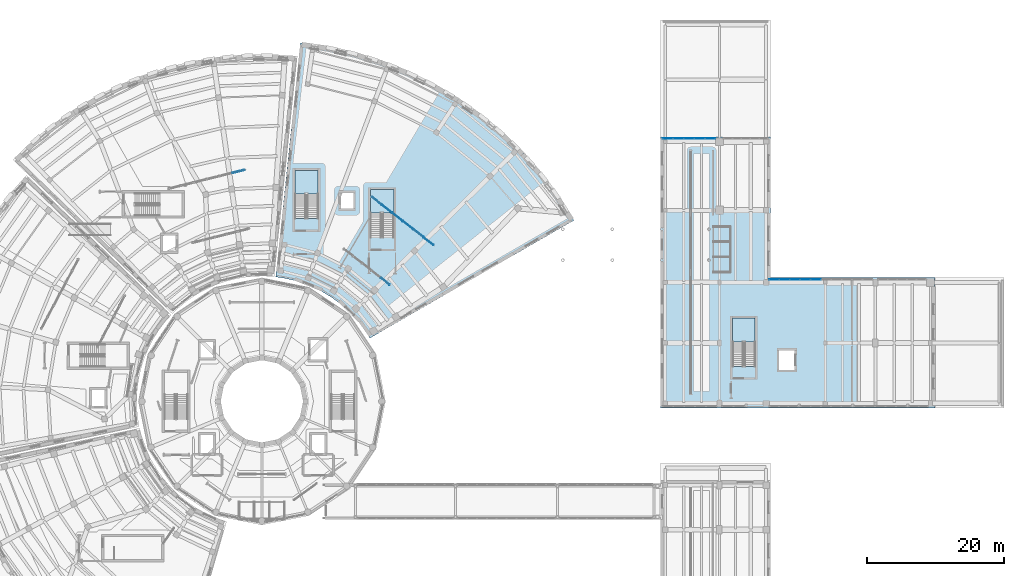
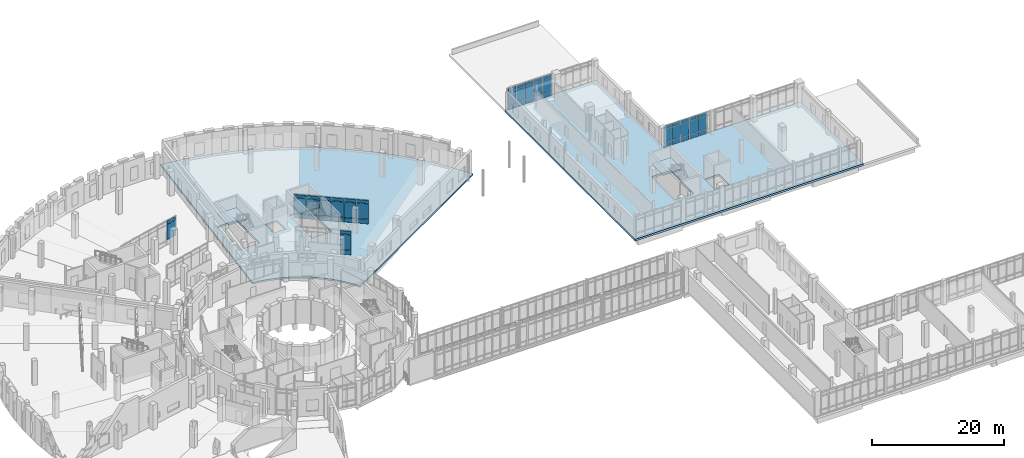
# One storey, part 55 of 89: 53 plates, 5 slabs, 8 elements without a shape of their own.
"""IFC4 building model written with IfcOpenShell, lengths in metres."""

from ifc_helpers import new_model, si_unit, direction, frame, origin, origin_2d, place, context, subcontext, project, spatial, polyline, rectangle, outline, extrude, material, layer, layer_set, type_object, element, aggregate, save


model = new_model("IFC4")

# Units and contexts
model_context = context("Model", 3, precision=1e-05, world=origin(), true_north=direction((0.0, 1.0)))
body_context = subcontext(model_context, "Body", "Model", "MODEL_VIEW")
ifc_project = project(units=[si_unit("LENGTHUNIT", "METRE"), si_unit("AREAUNIT", "SQUARE_METRE"), si_unit("VOLUMEUNIT", "CUBIC_METRE"), si_unit("PLANEANGLEUNIT", "RADIAN"), si_unit("MASSUNIT", "GRAM", prefix="KILO")], contexts=[model_context])

# Site, building, storey
site_placement = place(None, origin())
site = spatial("IfcSite", under=ifc_project, at=site_placement, CompositionType="ELEMENT")
building_placement = place(site_placement, origin())
building = spatial("IfcBuilding", under=site, at=building_placement, Name="Soyqirgoq Riverine Aquarium", CompositionType="ELEMENT")
storey_placement = place(building_placement, frame((0.0, 0.0, 5.39990234375)))
storey = spatial("IfcBuildingStorey", under=building, at=storey_placement, Name="L02", CompositionType="ELEMENT", Elevation=5.39990234375)

# Curtain wall, plates
ifc_material_1 = material(Name="Cast polymethyl methacrylate PMMA Habitat Viewing Glazing", Category="glass")
curtain_wall_type_1 = type_object("IfcCurtainWallType", Name="CW_Interior_TankVitrine", PredefinedType="NOTDEFINED", material=ifc_material_1)
curtain_wall_1_placement = place(storey_placement, origin())
curtain_wall_1 = element("IfcCurtainWall", 1, at=curtain_wall_1_placement, inside=storey, type_object=curtain_wall_type_1, Name="V4 L02 Curtain Wall 154", PredefinedType="NOTDEFINED")
ifc_material_2 = material(Name="Cast polymethyl methacrylate PMMA", Category="glass")
ifc_layer_1 = layer(ifc_material_2, 0.1201171875)
ifc_layer_set_1 = layer_set([ifc_layer_1], Name="Cast polymethyl methacrylate PMMA")
plate_type_1 = type_object("IfcPlateType", Name="CWAcrylicPanel_120", PredefinedType="CURTAIN_PANEL", material=ifc_layer_set_1)
plate_1_placement = place(storey_placement, frame((52.5927734375, 90.4560546875, 0.9375), z_axis=(0.0, 0.0, 1.0), x_axis=(-0.970294737313, -0.241925862079, 0.0)))
plate_1 = element("IfcPlate", 2, at=plate_1_placement, type_object=plate_type_1, Name="CW-07 panel 1.2", PredefinedType="CURTAIN_PANEL", context=body_context, shape_type="SweptSolid", body=[
    extrude(rectangle(XDim=1.80322265625, YDim=0.1201171875, at=origin_2d()), origin(), (0.0, 0.0, 1.0), 2.824951171875),
])
plate_2_placement = place(storey_placement, frame((52.5927734375, 90.4560546875, 3.837646484375), z_axis=(0.0, 0.0, 1.0), x_axis=(-0.970294737313, -0.241925862079, 0.0)))
plate_2 = element("IfcPlate", 3, at=plate_2_placement, type_object=plate_type_1, Name="CW-07 panel 1.3", PredefinedType="CURTAIN_PANEL", context=body_context, shape_type="SweptSolid", body=[
    extrude(rectangle(XDim=1.80322265625, YDim=0.1201171875, at=origin_2d()), origin(), (0.0, 0.0, 1.0), 0.58740234375),
])
aggregate(curtain_wall_1, [plate_1, plate_2])

curtain_wall_2_placement = place(storey_placement, origin())
curtain_wall_2 = element("IfcCurtainWall", 4, at=curtain_wall_2_placement, inside=storey, type_object=curtain_wall_type_1, Name="V5 L02 Curtain Wall 159", PredefinedType="NOTDEFINED")
plate_3_placement = place(storey_placement, frame((73.958740234375, 74.46240234375, 0.074951171875), z_axis=(0.0, 0.0, 1.0), x_axis=(-0.788011077449, 0.615661060826, 0.0)))
plate_3 = element("IfcPlate", 5, at=plate_3_placement, type_object=plate_type_1, Name="CW-07 panel 1.1", PredefinedType="CURTAIN_PANEL", context=body_context, shape_type="SweptSolid", body=[
    extrude(rectangle(XDim=1.59033203125, YDim=0.1201171875, at=origin_2d()), origin(), (0.0, 0.0, 1.0), 0.78759765625),
])
plate_4_placement = place(storey_placement, frame((73.958740234375, 74.46240234375, 0.9375), z_axis=(0.0, 0.0, 1.0), x_axis=(-0.788011077449, 0.615661060826, 0.0)))
plate_4 = element("IfcPlate", 6, at=plate_4_placement, type_object=plate_type_1, Name="CW-07 panel 1.2", PredefinedType="CURTAIN_PANEL", context=body_context, shape_type="SweptSolid", body=[
    extrude(rectangle(XDim=1.59033203125, YDim=0.1201171875, at=origin_2d()), origin(), (0.0, 0.0, 1.0), 2.824951171875),
])
plate_5_placement = place(storey_placement, frame((73.958740234375, 74.46240234375, 3.837646484375), z_axis=(0.0, 0.0, 1.0), x_axis=(-0.788011077449, 0.615661060826, 0.0)))
plate_5 = element("IfcPlate", 7, at=plate_5_placement, type_object=plate_type_1, Name="CW-07 panel 1.3", PredefinedType="CURTAIN_PANEL", context=body_context, shape_type="SweptSolid", body=[
    extrude(rectangle(XDim=1.59033203125, YDim=0.1201171875, at=origin_2d()), origin(), (0.0, 0.0, 1.0), 0.58740234375),
])
aggregate(curtain_wall_2, [plate_3, plate_4, plate_5])

curtain_wall_3_placement = place(storey_placement, origin())
curtain_wall_3 = element("IfcCurtainWall", 8, at=curtain_wall_3_placement, inside=storey, type_object=curtain_wall_type_1, Name="V5 L02 Curtain Wall 160", PredefinedType="NOTDEFINED")
plate_6_placement = place(storey_placement, frame((80.26611328125, 80.282470703125, 0.074951171875), z_axis=(0.0, 0.0, 1.0), x_axis=(-0.788015701833, 0.615655141832, 0.0)))
plate_6 = element("IfcPlate", 9, at=plate_6_placement, type_object=plate_type_1, Name="CW-07 panel 1.1", PredefinedType="CURTAIN_PANEL", context=body_context, shape_type="SweptSolid", body=[
    extrude(rectangle(XDim=1.802978515625, YDim=0.1201171875, at=origin_2d()), origin(), (0.0, 0.0, 1.0), 0.78759765625),
])
plate_7_placement = place(storey_placement, frame((80.26611328125, 80.282470703125, 0.9375), z_axis=(0.0, 0.0, 1.0), x_axis=(-0.788015701833, 0.615655141832, 0.0)))
plate_7 = element("IfcPlate", 10, at=plate_7_placement, type_object=plate_type_1, Name="CW-07 panel 1.2", PredefinedType="CURTAIN_PANEL", context=body_context, shape_type="SweptSolid", body=[
    extrude(rectangle(XDim=1.802978515625, YDim=0.1201171875, at=origin_2d()), origin(), (0.0, 0.0, 1.0), 2.824951171875),
])
plate_8_placement = place(storey_placement, frame((80.26611328125, 80.282470703125, 3.837646484375), z_axis=(0.0, 0.0, 1.0), x_axis=(-0.788015701833, 0.615655141832, 0.0)))
plate_8 = element("IfcPlate", 11, at=plate_8_placement, type_object=plate_type_1, Name="CW-07 panel 1.3", PredefinedType="CURTAIN_PANEL", context=body_context, shape_type="SweptSolid", body=[
    extrude(rectangle(XDim=1.802978515625, YDim=0.1201171875, at=origin_2d()), origin(), (0.0, 0.0, 1.0), 0.58740234375),
])
plate_9_placement = place(storey_placement, frame((78.766357421875, 81.4541015625, 0.074951171875), z_axis=(0.0, 0.0, 1.0), x_axis=(-0.788015701833, 0.615655141832, 0.0)))
plate_9 = element("IfcPlate", 12, at=plate_9_placement, type_object=plate_type_1, Name="CW-07 panel 2.1", PredefinedType="CURTAIN_PANEL", context=body_context, shape_type="SweptSolid", body=[
    extrude(rectangle(XDim=1.843017578125, YDim=0.1201171875, at=origin_2d()), origin(), (0.0, 0.0, 1.0), 0.78759765625),
])
plate_10_placement = place(storey_placement, frame((78.766357421875, 81.4541015625, 0.9375), z_axis=(0.0, 0.0, 1.0), x_axis=(-0.788015701833, 0.615655141832, 0.0)))
plate_10 = element("IfcPlate", 13, at=plate_10_placement, type_object=plate_type_1, Name="CW-07 panel 2.2", PredefinedType="CURTAIN_PANEL", context=body_context, shape_type="SweptSolid", body=[
    extrude(rectangle(XDim=1.843017578125, YDim=0.1201171875, at=origin_2d()), origin(), (0.0, 0.0, 1.0), 2.824951171875),
])
plate_11_placement = place(storey_placement, frame((78.766357421875, 81.4541015625, 3.837646484375), z_axis=(0.0, 0.0, 1.0), x_axis=(-0.788015701833, 0.615655141832, 0.0)))
plate_11 = element("IfcPlate", 14, at=plate_11_placement, type_object=plate_type_1, Name="CW-07 panel 2.3", PredefinedType="CURTAIN_PANEL", context=body_context, shape_type="SweptSolid", body=[
    extrude(rectangle(XDim=1.843017578125, YDim=0.1201171875, at=origin_2d()), origin(), (0.0, 0.0, 1.0), 0.58740234375),
])
plate_12_placement = place(storey_placement, frame((77.2509765625, 82.63818359375, 0.074951171875), z_axis=(0.0, 0.0, 1.0), x_axis=(-0.788015701833, 0.615655141832, 0.0)))
plate_12 = element("IfcPlate", 15, at=plate_12_placement, type_object=plate_type_1, Name="CW-07 panel 3.1", PredefinedType="CURTAIN_PANEL", context=body_context, shape_type="SweptSolid", body=[
    extrude(rectangle(XDim=1.843017578125, YDim=0.1201171875, at=origin_2d()), origin(), (0.0, 0.0, 1.0), 0.78759765625),
])
plate_13_placement = place(storey_placement, frame((77.2509765625, 82.63818359375, 0.9375), z_axis=(0.0, 0.0, 1.0), x_axis=(-0.788015701833, 0.615655141832, 0.0)))
plate_13 = element("IfcPlate", 16, at=plate_13_placement, type_object=plate_type_1, Name="CW-07 panel 3.2", PredefinedType="CURTAIN_PANEL", context=body_context, shape_type="SweptSolid", body=[
    extrude(rectangle(XDim=1.843017578125, YDim=0.1201171875, at=origin_2d()), origin(), (0.0, 0.0, 1.0), 2.824951171875),
])
plate_14_placement = place(storey_placement, frame((77.2509765625, 82.63818359375, 3.837646484375), z_axis=(0.0, 0.0, 1.0), x_axis=(-0.788015701833, 0.615655141832, 0.0)))
plate_14 = element("IfcPlate", 17, at=plate_14_placement, type_object=plate_type_1, Name="CW-07 panel 3.3", PredefinedType="CURTAIN_PANEL", context=body_context, shape_type="SweptSolid", body=[
    extrude(rectangle(XDim=1.843017578125, YDim=0.1201171875, at=origin_2d()), origin(), (0.0, 0.0, 1.0), 0.58740234375),
])
plate_15_placement = place(storey_placement, frame((75.735595703125, 83.822021484375, 0.074951171875), z_axis=(0.0, 0.0, 1.0), x_axis=(-0.788015701833, 0.615655141832, 0.0)))
plate_15 = element("IfcPlate", 18, at=plate_15_placement, type_object=plate_type_1, Name="CW-07 panel 4.1", PredefinedType="CURTAIN_PANEL", context=body_context, shape_type="SweptSolid", body=[
    extrude(rectangle(XDim=1.843017578125, YDim=0.1201171875, at=origin_2d()), origin(), (0.0, 0.0, 1.0), 0.78759765625),
])
plate_16_placement = place(storey_placement, frame((75.735595703125, 83.822021484375, 0.9375), z_axis=(0.0, 0.0, 1.0), x_axis=(-0.788015701833, 0.615655141832, 0.0)))
plate_16 = element("IfcPlate", 19, at=plate_16_placement, type_object=plate_type_1, Name="CW-07 panel 4.2", PredefinedType="CURTAIN_PANEL", context=body_context, shape_type="SweptSolid", body=[
    extrude(rectangle(XDim=1.843017578125, YDim=0.1201171875, at=origin_2d()), origin(), (0.0, 0.0, 1.0), 2.824951171875),
])
plate_17_placement = place(storey_placement, frame((75.735595703125, 83.822021484375, 3.837646484375), z_axis=(0.0, 0.0, 1.0), x_axis=(-0.788015701833, 0.615655141832, 0.0)))
plate_17 = element("IfcPlate", 20, at=plate_17_placement, type_object=plate_type_1, Name="CW-07 panel 4.3", PredefinedType="CURTAIN_PANEL", context=body_context, shape_type="SweptSolid", body=[
    extrude(rectangle(XDim=1.843017578125, YDim=0.1201171875, at=origin_2d()), origin(), (0.0, 0.0, 1.0), 0.58740234375),
])
plate_18_placement = place(storey_placement, frame((74.219970703125, 85.006103515625, 0.074951171875), z_axis=(0.0, 0.0, 1.0), x_axis=(-0.788015701833, 0.615655141832, 0.0)))
plate_18 = element("IfcPlate", 21, at=plate_18_placement, type_object=plate_type_1, Name="CW-07 panel 5.1", PredefinedType="CURTAIN_PANEL", context=body_context, shape_type="SweptSolid", body=[
    extrude(rectangle(XDim=1.843017578125, YDim=0.1201171875, at=origin_2d()), origin(), (0.0, 0.0, 1.0), 0.78759765625),
])
plate_19_placement = place(storey_placement, frame((74.219970703125, 85.006103515625, 0.9375), z_axis=(0.0, 0.0, 1.0), x_axis=(-0.788015701833, 0.615655141832, 0.0)))
plate_19 = element("IfcPlate", 22, at=plate_19_placement, type_object=plate_type_1, Name="CW-07 panel 5.2", PredefinedType="CURTAIN_PANEL", context=body_context, shape_type="SweptSolid", body=[
    extrude(rectangle(XDim=1.843017578125, YDim=0.1201171875, at=origin_2d()), origin(), (0.0, 0.0, 1.0), 2.824951171875),
])
plate_20_placement = place(storey_placement, frame((74.219970703125, 85.006103515625, 3.837646484375), z_axis=(0.0, 0.0, 1.0), x_axis=(-0.788015701833, 0.615655141832, 0.0)))
plate_20 = element("IfcPlate", 23, at=plate_20_placement, type_object=plate_type_1, Name="CW-07 panel 5.3", PredefinedType="CURTAIN_PANEL", context=body_context, shape_type="SweptSolid", body=[
    extrude(rectangle(XDim=1.843017578125, YDim=0.1201171875, at=origin_2d()), origin(), (0.0, 0.0, 1.0), 0.58740234375),
])
plate_21_placement = place(storey_placement, frame((72.720458984375, 86.177734375, 0.074951171875), z_axis=(0.0, 0.0, 1.0), x_axis=(-0.788015701833, 0.615655141832, 0.0)))
plate_21 = element("IfcPlate", 24, at=plate_21_placement, type_object=plate_type_1, Name="CW-07 panel 6.1", PredefinedType="CURTAIN_PANEL", context=body_context, shape_type="SweptSolid", body=[
    extrude(rectangle(XDim=1.802978515625, YDim=0.1201171875, at=origin_2d()), origin(), (0.0, 0.0, 1.0), 0.78759765625),
])
plate_22_placement = place(storey_placement, frame((72.720458984375, 86.177734375, 0.9375), z_axis=(0.0, 0.0, 1.0), x_axis=(-0.788015701833, 0.615655141832, 0.0)))
plate_22 = element("IfcPlate", 25, at=plate_22_placement, type_object=plate_type_1, Name="CW-07 panel 6.2", PredefinedType="CURTAIN_PANEL", context=body_context, shape_type="SweptSolid", body=[
    extrude(rectangle(XDim=1.802978515625, YDim=0.1201171875, at=origin_2d()), origin(), (0.0, 0.0, 1.0), 2.824951171875),
])
plate_23_placement = place(storey_placement, frame((72.720458984375, 86.177734375, 3.837646484375), z_axis=(0.0, 0.0, 1.0), x_axis=(-0.788015701833, 0.615655141832, 0.0)))
plate_23 = element("IfcPlate", 26, at=plate_23_placement, type_object=plate_type_1, Name="CW-07 panel 6.3", PredefinedType="CURTAIN_PANEL", context=body_context, shape_type="SweptSolid", body=[
    extrude(rectangle(XDim=1.802978515625, YDim=0.1201171875, at=origin_2d()), origin(), (0.0, 0.0, 1.0), 0.58740234375),
])
aggregate(curtain_wall_3, [plate_6, plate_7, plate_8, plate_9, plate_10, plate_11, plate_12, plate_13, plate_14, plate_15, plate_16, plate_17, plate_18, plate_19, plate_20, plate_21, plate_22, plate_23])

ifc_material_3 = material(Name="Anodised aluminium thermally broken gallery curtain wall", Category="aluminium")
curtain_wall_type_2 = type_object("IfcCurtainWallType", Name="CW_Pavilion_Ribbon", PredefinedType="NOTDEFINED", material=ifc_material_3)
curtain_wall_4_placement = place(storey_placement, origin())
curtain_wall_4 = element("IfcCurtainWall", 27, at=curtain_wall_4_placement, inside=storey, type_object=curtain_wall_type_2, Name="V7 L02 Curtain Wall 121", PredefinedType="NOTDEFINED")
ifc_material_4 = material(Name="Triple insulated laminated low-E glass", Category="glass")
ifc_layer_2 = layer(ifc_material_4, 0.0458984375)
ifc_layer_set_2 = layer_set([ifc_layer_2], Name="Triple insulated laminated low-E glass")
plate_type_2 = type_object("IfcPlateType", Name="CWGlazedPanel_46", PredefinedType="CURTAIN_PANEL", material=ifc_layer_set_2)
plate_24_placement = place(storey_placement, frame((115.080322265625, 95.25, 0.074951171875), z_axis=(0.0, 0.0, 1.0), x_axis=(1.0, 0.0, 0.0)))
plate_24 = element("IfcPlate", 28, at=plate_24_placement, type_object=plate_type_2, Name="CW-05 panel 1.1", PredefinedType="CURTAIN_PANEL", context=body_context, shape_type="SweptSolid", body=[
    extrude(rectangle(XDim=1.450439453125, YDim=0.0458984375, at=origin_2d()), origin(), (0.0, 0.0, 1.0), 0.78759765625),
])
plate_25_placement = place(storey_placement, frame((115.080322265625, 95.25, 0.9375), z_axis=(0.0, 0.0, 1.0), x_axis=(1.0, 0.0, 0.0)))
plate_25 = element("IfcPlate", 29, at=plate_25_placement, type_object=plate_type_2, Name="CW-05 panel 1.2", PredefinedType="CURTAIN_PANEL", context=body_context, shape_type="SweptSolid", body=[
    extrude(rectangle(XDim=1.450439453125, YDim=0.0458984375, at=origin_2d()), origin(), (0.0, 0.0, 1.0), 2.425048828125),
])
plate_26_placement = place(storey_placement, frame((115.080322265625, 95.25, 3.437744140625), z_axis=(0.0, 0.0, 1.0), x_axis=(1.0, 0.0, 0.0)))
plate_26 = element("IfcPlate", 30, at=plate_26_placement, type_object=plate_type_2, Name="CW-05 panel 1.3", PredefinedType="CURTAIN_PANEL", context=body_context, shape_type="SweptSolid", body=[
    extrude(rectangle(XDim=1.450439453125, YDim=0.0458984375, at=origin_2d()), origin(), (0.0, 0.0, 1.0), 0.58740234375),
])
plate_27_placement = place(storey_placement, frame((116.612060546875, 95.25, 0.074951171875), z_axis=(0.0, 0.0, 1.0), x_axis=(1.0, 0.0, 0.0)))
plate_27 = element("IfcPlate", 31, at=plate_27_placement, type_object=plate_type_2, Name="CW-05 panel 2.1", PredefinedType="CURTAIN_PANEL", context=body_context, shape_type="SweptSolid", body=[
    extrude(rectangle(XDim=1.48291015625, YDim=0.0458984375, at=origin_2d()), origin(), (0.0, 0.0, 1.0), 0.78759765625),
])
plate_28_placement = place(storey_placement, frame((116.612060546875, 95.25, 0.9375), z_axis=(0.0, 0.0, 1.0), x_axis=(1.0, 0.0, 0.0)))
plate_28 = element("IfcPlate", 32, at=plate_28_placement, type_object=plate_type_2, Name="CW-05 panel 2.2", PredefinedType="CURTAIN_PANEL", context=body_context, shape_type="SweptSolid", body=[
    extrude(rectangle(XDim=1.48291015625, YDim=0.0458984375, at=origin_2d()), origin(), (0.0, 0.0, 1.0), 2.425048828125),
])
plate_29_placement = place(storey_placement, frame((116.612060546875, 95.25, 3.437744140625), z_axis=(0.0, 0.0, 1.0), x_axis=(1.0, 0.0, 0.0)))
plate_29 = element("IfcPlate", 33, at=plate_29_placement, type_object=plate_type_2, Name="CW-05 panel 2.3", PredefinedType="CURTAIN_PANEL", context=body_context, shape_type="SweptSolid", body=[
    extrude(rectangle(XDim=1.48291015625, YDim=0.0458984375, at=origin_2d()), origin(), (0.0, 0.0, 1.0), 0.58740234375),
])
plate_30_placement = place(storey_placement, frame((118.159912109375, 95.25, 0.074951171875), z_axis=(0.0, 0.0, 1.0), x_axis=(1.0, 0.0, 0.0)))
plate_30 = element("IfcPlate", 34, at=plate_30_placement, type_object=plate_type_2, Name="CW-05 panel 3.1", PredefinedType="CURTAIN_PANEL", context=body_context, shape_type="SweptSolid", body=[
    extrude(rectangle(XDim=1.48291015625, YDim=0.0458984375, at=origin_2d()), origin(), (0.0, 0.0, 1.0), 0.78759765625),
])
plate_31_placement = place(storey_placement, frame((118.159912109375, 95.25, 0.9375), z_axis=(0.0, 0.0, 1.0), x_axis=(1.0, 0.0, 0.0)))
plate_31 = element("IfcPlate", 35, at=plate_31_placement, type_object=plate_type_2, Name="CW-05 panel 3.2", PredefinedType="CURTAIN_PANEL", context=body_context, shape_type="SweptSolid", body=[
    extrude(rectangle(XDim=1.48291015625, YDim=0.0458984375, at=origin_2d()), origin(), (0.0, 0.0, 1.0), 2.425048828125),
])
plate_32_placement = place(storey_placement, frame((118.159912109375, 95.25, 3.437744140625), z_axis=(0.0, 0.0, 1.0), x_axis=(1.0, 0.0, 0.0)))
plate_32 = element("IfcPlate", 36, at=plate_32_placement, type_object=plate_type_2, Name="CW-05 panel 3.3", PredefinedType="CURTAIN_PANEL", context=body_context, shape_type="SweptSolid", body=[
    extrude(rectangle(XDim=1.48291015625, YDim=0.0458984375, at=origin_2d()), origin(), (0.0, 0.0, 1.0), 0.58740234375),
])
plate_33_placement = place(storey_placement, frame((119.7080078125, 95.25, 0.074951171875), z_axis=(0.0, 0.0, 1.0), x_axis=(1.0, 0.0, 0.0)))
plate_33 = element("IfcPlate", 37, at=plate_33_placement, type_object=plate_type_2, Name="CW-05 panel 4.1", PredefinedType="CURTAIN_PANEL", context=body_context, shape_type="SweptSolid", body=[
    extrude(rectangle(XDim=1.48291015625, YDim=0.0458984375, at=origin_2d()), origin(), (0.0, 0.0, 1.0), 0.78759765625),
])
plate_34_placement = place(storey_placement, frame((119.7080078125, 95.25, 0.9375), z_axis=(0.0, 0.0, 1.0), x_axis=(1.0, 0.0, 0.0)))
plate_34 = element("IfcPlate", 38, at=plate_34_placement, type_object=plate_type_2, Name="CW-05 panel 4.2", PredefinedType="CURTAIN_PANEL", context=body_context, shape_type="SweptSolid", body=[
    extrude(rectangle(XDim=1.48291015625, YDim=0.0458984375, at=origin_2d()), origin(), (0.0, 0.0, 1.0), 2.425048828125),
])
plate_35_placement = place(storey_placement, frame((119.7080078125, 95.25, 3.437744140625), z_axis=(0.0, 0.0, 1.0), x_axis=(1.0, 0.0, 0.0)))
plate_35 = element("IfcPlate", 39, at=plate_35_placement, type_object=plate_type_2, Name="CW-05 panel 4.3", PredefinedType="CURTAIN_PANEL", context=body_context, shape_type="SweptSolid", body=[
    extrude(rectangle(XDim=1.48291015625, YDim=0.0458984375, at=origin_2d()), origin(), (0.0, 0.0, 1.0), 0.58740234375),
])
plate_36_placement = place(storey_placement, frame((121.23974609375, 95.25, 0.074951171875), z_axis=(0.0, 0.0, 1.0), x_axis=(1.0, 0.0, 0.0)))
plate_36 = element("IfcPlate", 40, at=plate_36_placement, type_object=plate_type_2, Name="CW-05 panel 5.1", PredefinedType="CURTAIN_PANEL", context=body_context, shape_type="SweptSolid", body=[
    extrude(rectangle(XDim=1.450439453125, YDim=0.0458984375, at=origin_2d()), origin(), (0.0, 0.0, 1.0), 0.78759765625),
])
plate_37_placement = place(storey_placement, frame((121.23974609375, 95.25, 0.9375), z_axis=(0.0, 0.0, 1.0), x_axis=(1.0, 0.0, 0.0)))
plate_37 = element("IfcPlate", 41, at=plate_37_placement, type_object=plate_type_2, Name="CW-05 panel 5.2", PredefinedType="CURTAIN_PANEL", context=body_context, shape_type="SweptSolid", body=[
    extrude(rectangle(XDim=1.450439453125, YDim=0.0458984375, at=origin_2d()), origin(), (0.0, 0.0, 1.0), 2.425048828125),
])
plate_38_placement = place(storey_placement, frame((121.23974609375, 95.25, 3.437744140625), z_axis=(0.0, 0.0, 1.0), x_axis=(1.0, 0.0, 0.0)))
plate_38 = element("IfcPlate", 42, at=plate_38_placement, type_object=plate_type_2, Name="CW-05 panel 5.3", PredefinedType="CURTAIN_PANEL", context=body_context, shape_type="SweptSolid", body=[
    extrude(rectangle(XDim=1.450439453125, YDim=0.0458984375, at=origin_2d()), origin(), (0.0, 0.0, 1.0), 0.58740234375),
])
aggregate(curtain_wall_4, [plate_24, plate_25, plate_26, plate_27, plate_28, plate_29, plate_30, plate_31, plate_32, plate_33, plate_34, plate_35, plate_36, plate_37, plate_38])

curtain_wall_5_placement = place(storey_placement, origin())
curtain_wall_5 = element("IfcCurtainWall", 43, at=curtain_wall_5_placement, inside=storey, type_object=curtain_wall_type_2, Name="V7 L02 Curtain Wall 123", PredefinedType="NOTDEFINED")
plate_39_placement = place(storey_placement, frame((130.563232421875, 74.75, 0.074951171875), z_axis=(0.0, 0.0, 1.0), x_axis=(1.0, 0.0, 0.0)))
plate_39 = element("IfcPlate", 44, at=plate_39_placement, type_object=plate_type_2, Name="CW-05 panel 1.1", PredefinedType="CURTAIN_PANEL", context=body_context, shape_type="SweptSolid", body=[
    extrude(rectangle(XDim=1.41650390625, YDim=0.0458984375, at=origin_2d()), origin(), (0.0, 0.0, 1.0), 0.78759765625),
])
plate_40_placement = place(storey_placement, frame((130.563232421875, 74.75, 0.9375), z_axis=(0.0, 0.0, 1.0), x_axis=(1.0, 0.0, 0.0)))
plate_40 = element("IfcPlate", 45, at=plate_40_placement, type_object=plate_type_2, Name="CW-05 panel 1.2", PredefinedType="CURTAIN_PANEL", context=body_context, shape_type="SweptSolid", body=[
    extrude(rectangle(XDim=1.41650390625, YDim=0.0458984375, at=origin_2d()), origin(), (0.0, 0.0, 1.0), 2.425048828125),
])
plate_41_placement = place(storey_placement, frame((130.563232421875, 74.75, 3.437744140625), z_axis=(0.0, 0.0, 1.0), x_axis=(1.0, 0.0, 0.0)))
plate_41 = element("IfcPlate", 46, at=plate_41_placement, type_object=plate_type_2, Name="CW-05 panel 1.3", PredefinedType="CURTAIN_PANEL", context=body_context, shape_type="SweptSolid", body=[
    extrude(rectangle(XDim=1.41650390625, YDim=0.0458984375, at=origin_2d()), origin(), (0.0, 0.0, 1.0), 0.58740234375),
])
plate_42_placement = place(storey_placement, frame((132.06103515625, 74.75, 0.074951171875), z_axis=(0.0, 0.0, 1.0), x_axis=(1.0, 0.0, 0.0)))
plate_42 = element("IfcPlate", 47, at=plate_42_placement, type_object=plate_type_2, Name="CW-05 panel 2.1", PredefinedType="CURTAIN_PANEL", context=body_context, shape_type="SweptSolid", body=[
    extrude(rectangle(XDim=1.448974609375, YDim=0.0458984375, at=origin_2d()), origin(), (0.0, 0.0, 1.0), 0.78759765625),
])
plate_43_placement = place(storey_placement, frame((132.06103515625, 74.75, 0.9375), z_axis=(0.0, 0.0, 1.0), x_axis=(1.0, 0.0, 0.0)))
plate_43 = element("IfcPlate", 48, at=plate_43_placement, type_object=plate_type_2, Name="CW-05 panel 2.2", PredefinedType="CURTAIN_PANEL", context=body_context, shape_type="SweptSolid", body=[
    extrude(rectangle(XDim=1.448974609375, YDim=0.0458984375, at=origin_2d()), origin(), (0.0, 0.0, 1.0), 2.425048828125),
])
plate_44_placement = place(storey_placement, frame((132.06103515625, 74.75, 3.437744140625), z_axis=(0.0, 0.0, 1.0), x_axis=(1.0, 0.0, 0.0)))
plate_44 = element("IfcPlate", 49, at=plate_44_placement, type_object=plate_type_2, Name="CW-05 panel 2.3", PredefinedType="CURTAIN_PANEL", context=body_context, shape_type="SweptSolid", body=[
    extrude(rectangle(XDim=1.448974609375, YDim=0.0458984375, at=origin_2d()), origin(), (0.0, 0.0, 1.0), 0.58740234375),
])
plate_45_placement = place(storey_placement, frame((133.574951171875, 74.75, 0.074951171875), z_axis=(0.0, 0.0, 1.0), x_axis=(1.0, 0.0, 0.0)))
plate_45 = element("IfcPlate", 50, at=plate_45_placement, type_object=plate_type_2, Name="CW-05 panel 3.1", PredefinedType="CURTAIN_PANEL", context=body_context, shape_type="SweptSolid", body=[
    extrude(rectangle(XDim=1.448974609375, YDim=0.0458984375, at=origin_2d()), origin(), (0.0, 0.0, 1.0), 0.78759765625),
])
plate_46_placement = place(storey_placement, frame((133.574951171875, 74.75, 0.9375), z_axis=(0.0, 0.0, 1.0), x_axis=(1.0, 0.0, 0.0)))
plate_46 = element("IfcPlate", 51, at=plate_46_placement, type_object=plate_type_2, Name="CW-05 panel 3.2", PredefinedType="CURTAIN_PANEL", context=body_context, shape_type="SweptSolid", body=[
    extrude(rectangle(XDim=1.448974609375, YDim=0.0458984375, at=origin_2d()), origin(), (0.0, 0.0, 1.0), 2.425048828125),
])
plate_47_placement = place(storey_placement, frame((133.574951171875, 74.75, 3.437744140625), z_axis=(0.0, 0.0, 1.0), x_axis=(1.0, 0.0, 0.0)))
plate_47 = element("IfcPlate", 52, at=plate_47_placement, type_object=plate_type_2, Name="CW-05 panel 3.3", PredefinedType="CURTAIN_PANEL", context=body_context, shape_type="SweptSolid", body=[
    extrude(rectangle(XDim=1.448974609375, YDim=0.0458984375, at=origin_2d()), origin(), (0.0, 0.0, 1.0), 0.58740234375),
])
plate_48_placement = place(storey_placement, frame((135.089111328125, 74.75, 0.074951171875), z_axis=(0.0, 0.0, 1.0), x_axis=(1.0, 0.0, 0.0)))
plate_48 = element("IfcPlate", 53, at=plate_48_placement, type_object=plate_type_2, Name="CW-05 panel 4.1", PredefinedType="CURTAIN_PANEL", context=body_context, shape_type="SweptSolid", body=[
    extrude(rectangle(XDim=1.448974609375, YDim=0.0458984375, at=origin_2d()), origin(), (0.0, 0.0, 1.0), 0.78759765625),
])
plate_49_placement = place(storey_placement, frame((135.089111328125, 74.75, 0.9375), z_axis=(0.0, 0.0, 1.0), x_axis=(1.0, 0.0, 0.0)))
plate_49 = element("IfcPlate", 54, at=plate_49_placement, type_object=plate_type_2, Name="CW-05 panel 4.2", PredefinedType="CURTAIN_PANEL", context=body_context, shape_type="SweptSolid", body=[
    extrude(rectangle(XDim=1.448974609375, YDim=0.0458984375, at=origin_2d()), origin(), (0.0, 0.0, 1.0), 2.425048828125),
])
plate_50_placement = place(storey_placement, frame((135.089111328125, 74.75, 3.437744140625), z_axis=(0.0, 0.0, 1.0), x_axis=(1.0, 0.0, 0.0)))
plate_50 = element("IfcPlate", 55, at=plate_50_placement, type_object=plate_type_2, Name="CW-05 panel 4.3", PredefinedType="CURTAIN_PANEL", context=body_context, shape_type="SweptSolid", body=[
    extrude(rectangle(XDim=1.448974609375, YDim=0.0458984375, at=origin_2d()), origin(), (0.0, 0.0, 1.0), 0.58740234375),
])
plate_51_placement = place(storey_placement, frame((136.60302734375, 74.75, 0.074951171875), z_axis=(0.0, 0.0, 1.0), x_axis=(1.0, 0.0, 0.0)))
plate_51 = element("IfcPlate", 56, at=plate_51_placement, type_object=plate_type_2, Name="CW-05 panel 5.1", PredefinedType="CURTAIN_PANEL", context=body_context, shape_type="SweptSolid", body=[
    extrude(rectangle(XDim=1.448974609375, YDim=0.0458984375, at=origin_2d()), origin(), (0.0, 0.0, 1.0), 0.78759765625),
])
plate_52_placement = place(storey_placement, frame((136.60302734375, 74.75, 0.9375), z_axis=(0.0, 0.0, 1.0), x_axis=(1.0, 0.0, 0.0)))
plate_52 = element("IfcPlate", 57, at=plate_52_placement, type_object=plate_type_2, Name="CW-05 panel 5.2", PredefinedType="CURTAIN_PANEL", context=body_context, shape_type="SweptSolid", body=[
    extrude(rectangle(XDim=1.448974609375, YDim=0.0458984375, at=origin_2d()), origin(), (0.0, 0.0, 1.0), 2.425048828125),
])
plate_53_placement = place(storey_placement, frame((136.60302734375, 74.75, 3.437744140625), z_axis=(0.0, 0.0, 1.0), x_axis=(1.0, 0.0, 0.0)))
plate_53 = element("IfcPlate", 58, at=plate_53_placement, type_object=plate_type_2, Name="CW-05 panel 5.3", PredefinedType="CURTAIN_PANEL", context=body_context, shape_type="SweptSolid", body=[
    extrude(rectangle(XDim=1.448974609375, YDim=0.0458984375, at=origin_2d()), origin(), (0.0, 0.0, 1.0), 0.58740234375),
])
aggregate(curtain_wall_5, [plate_39, plate_40, plate_41, plate_42, plate_43, plate_44, plate_45, plate_46, plate_47, plate_48, plate_49, plate_50, plate_51, plate_52, plate_53])

# Stair, slab
ifc_material_5 = material(Name="Concrete C35/45", Category="concrete")
stair_type = type_object("IfcStairType", Name="CoreDoglegStair_RC", PredefinedType="HALF_TURN_STAIR", material=ifc_material_5)
stair_1_placement = place(storey_placement, origin())
stair_1 = element("IfcStair", 59, at=stair_1_placement, inside=storey, type_object=stair_type, Name="L02 Enclosed Exit Stair ST-5", PredefinedType="HALF_TURN_STAIR")
ifc_material_6 = material(Name="Concrete C35/45", Category="concrete")
ifc_layer_3 = layer(ifc_material_6, 0.199951171875)
ifc_layer_set_3 = layer_set([ifc_layer_3], Name="Concrete C35/45")
slab_type_1 = type_object("IfcSlabType", Name="CoreStairLanding_RC", PredefinedType="LANDING", material=ifc_layer_set_3)
slab_1_placement = place(storey_placement, frame((0.0, 0.0, 2.2001953125)))
slab_1 = element("IfcSlab", 60, at=slab_1_placement, type_object=slab_type_1, Name="ST-5 landing 1", PredefinedType="LANDING", context=body_context, shape_type="SweptSolid", body=[
    extrude(outline(polyline([(64.199951171875, 87.199951171875), (64.199951171875, 90.60009765625), (60.800048828125, 90.60009765625), (60.800048828125, 87.199951171875), (64.199951171875, 87.199951171875)])), origin(), (0.0, 0.0, 1.0), 0.199951171875),
])
aggregate(stair_1, [slab_1])

stair_2_placement = place(storey_placement, origin())
stair_2 = element("IfcStair", 61, at=stair_2_placement, inside=storey, type_object=stair_type, Name="L02 Enclosed Exit Stair ST-6", PredefinedType="HALF_TURN_STAIR")
slab_2_placement = place(storey_placement, frame((0.0, 0.0, 2.2001953125)))
slab_2 = element("IfcSlab", 62, at=slab_2_placement, type_object=slab_type_1, Name="ST-6 landing 1", PredefinedType="LANDING", context=body_context, shape_type="SweptSolid", body=[
    extrude(outline(polyline([(75.199951171875, 84.39990234375), (75.199951171875, 87.800048828125), (71.800048828125, 87.800048828125), (71.800048828125, 84.39990234375), (75.199951171875, 84.39990234375)])), origin(), (0.0, 0.0, 1.0), 0.199951171875),
])
aggregate(stair_2, [slab_2])

stair_3_placement = place(storey_placement, origin())
stair_3 = element("IfcStair", 63, at=stair_3_placement, inside=storey, type_object=stair_type, Name="L02 Enclosed Exit Stair ST-8", PredefinedType="HALF_TURN_STAIR")
slab_3_placement = place(storey_placement, frame((0.0, 0.0, 2.2001953125)))
slab_3 = element("IfcSlab", 64, at=slab_3_placement, type_object=slab_type_1, Name="ST-8 landing 1", PredefinedType="LANDING", context=body_context, shape_type="SweptSolid", body=[
    extrude(outline(polyline([(127.800048828125, 65.64990234375), (127.800048828125, 69.10009765625), (124.5, 69.10009765625), (124.5, 65.64990234375), (127.800048828125, 65.64990234375)])), origin(), (0.0, 0.0, 1.0), 0.199951171875),
])
aggregate(stair_3, [slab_3])

# Slabs
ifc_material_7 = material(Name="Concrete C35/45", Category="concrete")
ifc_layer_4 = layer(ifc_material_7, 0.300048828125)
ifc_layer_set_4 = layer_set([ifc_layer_4], Name="Concrete C35/45")
slab_type_2 = type_object("IfcSlabType", Name="FloorSlab_300_C35", PredefinedType="FLOOR", material=ifc_layer_set_4)
slab_4_placement = place(storey_placement, frame((0.0, 0.0, -0.2998046875)))
element("IfcSlab", 65, at=slab_4_placement, inside=storey, type_object=slab_type_2, Name="V5 L02 Suspended Floor Slab", PredefinedType="FLOOR", context=body_context, shape_type="SweptSolid", body=[
    extrude(outline(polyline([(70.15966796875, 68.46630859375), (71.015625, 67.31982421875), (71.72021484375, 66.203125), (101.40771484375, 83.343017578125), (99.2666015625, 86.736328125), (96.80029296875, 90.039306640625), (94.082275390625, 93.138671875), (91.12939453125, 96.01513671875), (87.9599609375, 98.651123046875), (84.593505859375, 101.0302734375), (81.05078125, 103.137939453125), (77.353759765625, 104.961181640625), (73.52490234375, 106.48876953125), (69.587890625, 107.711181640625), (65.5673828125, 108.620849609375), (61.5966796875, 109.196533203125), (58.013427734375, 75.1044921875), (59.3203125, 74.914794921875), (60.7158203125, 74.59912109375), (62.08203125, 74.1748046875), (62.8837890625, 73.85498046875), (62.97412109375, 73.8369140625), (63.041259765625, 73.792236328125), (63.41064453125, 73.644775390625), (64.69384765625, 73.011962890625), (65.92333984375, 72.280517578125), (67.091552734375, 71.454833984375), (68.191650390625, 70.5400390625), (68.81005859375, 69.9375), (68.886474609375, 69.886474609375), (68.931396484375, 69.8193359375), (69.21630859375, 69.541748046875), (70.15966796875, 68.46630859375)]), holes=[polyline([(64.199951171875, 83.625), (64.199951171875, 90.60009765625), (60.800048828125, 90.60009765625), (60.800048828125, 83.625), (64.199951171875, 83.625)]), polyline([(67.35009765625, 84.89990234375), (69.449951171875, 84.89990234375), (69.449951171875, 87.5), (67.35009765625, 87.5), (67.35009765625, 84.89990234375)]), polyline([(75.199951171875, 80.824951171875), (75.199951171875, 87.800048828125), (71.800048828125, 87.800048828125), (71.800048828125, 80.824951171875), (75.199951171875, 80.824951171875)])]), origin(), (0.0, 0.0, 1.0), 0.2998046875),
])
ifc_material_8 = material(Name="Concrete C40/50", Category="concrete")
ifc_layer_5 = layer(ifc_material_8, 0.35009765625)
ifc_layer_set_5 = layer_set([ifc_layer_5], Name="Concrete C40/50")
slab_type_3 = type_object("IfcSlabType", Name="FloorSlab_350_C40", PredefinedType="FLOOR", material=ifc_layer_set_5)
slab_5_placement = place(storey_placement, frame((0.0, 0.0, -0.349853515625)))
element("IfcSlab", 66, at=slab_5_placement, inside=storey, type_object=slab_type_3, Name="V7 L02 Suspended Floor Slab", PredefinedType="FLOOR", context=body_context, shape_type="SweptSolid", body=[
    extrude(outline(polyline([(114.0, 56.0), (154.0, 56.0), (154.0, 75.0), (130.0, 75.0), (130.0, 95.5), (114.0, 95.5), (114.0, 56.0)]), holes=[polyline([(127.800048828125, 62.074951171875), (127.800048828125, 69.10009765625), (124.5, 69.10009765625), (124.5, 62.074951171875), (127.800048828125, 62.074951171875)]), polyline([(131.14990234375, 61.449951171875), (133.64990234375, 61.449951171875), (133.64990234375, 64.550048828125), (131.14990234375, 64.550048828125), (131.14990234375, 61.449951171875)])]), origin(), (0.0, 0.0, 1.0), 0.349853515625),
])

save(model, "model.ifc")
